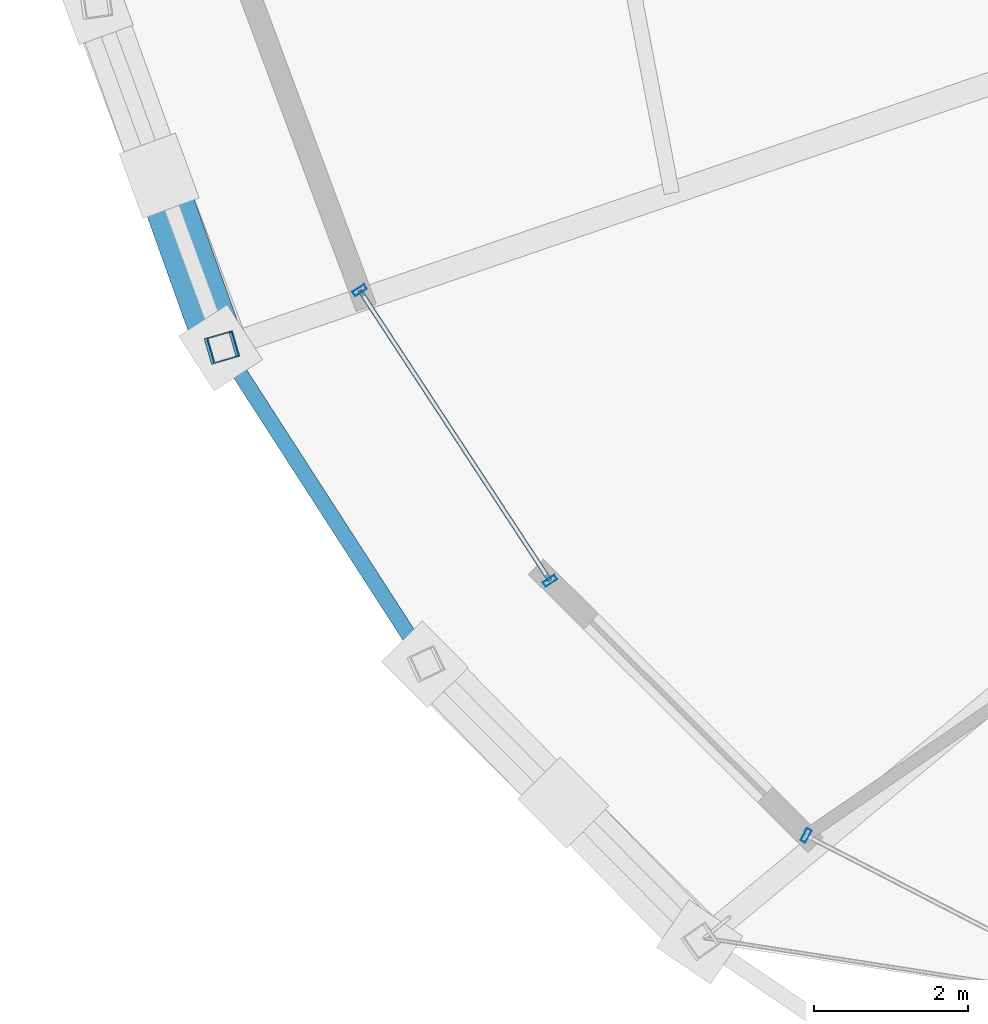
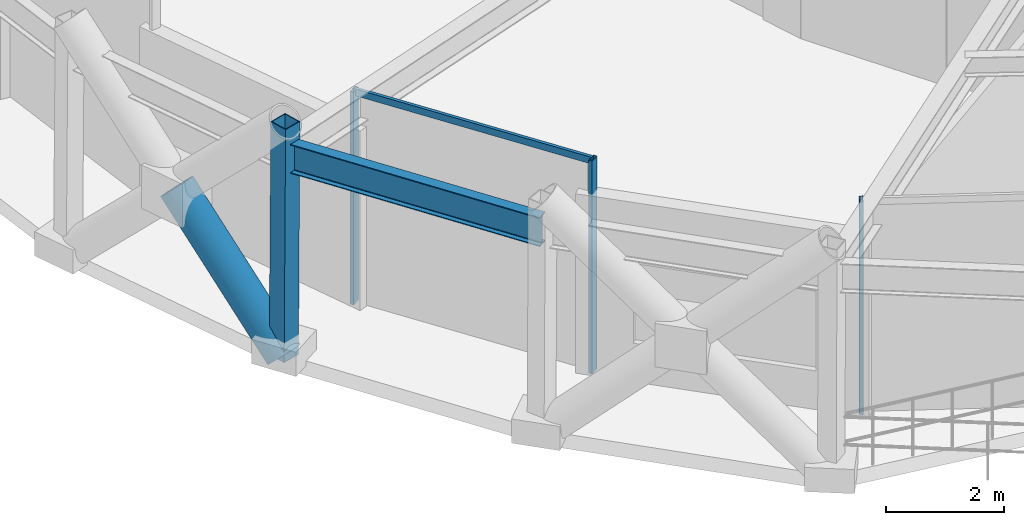
# One storey, part 2 of 39: 6 members, 1 beam, 2 elements without a shape of their own.
"""IFC4 building model written with IfcOpenShell, lengths in metres."""

import ifcopenshell
import ifcopenshell.guid

model = None  # the IFC model being written
_history = None  # IfcOwnerHistory: only IFC2X3 demands one
_inside = {}  # id of a spatial element -> (the spatial element, [elements in it])
_under = {}  # id of a project, library or spatial element -> (it, [spatial elements below it])
_declared = {}  # id of a project -> (the project, [libraries it declares])
_typed = {}  # id of a type object -> (the type object, [elements of that type])
_made_of = {}  # id of a material, layer set ... -> (it, [elements and type objects made of it])


def new_model(schema):
    """Start an empty IFC model of exactly this schema.

    Asked for "IFC4X3", IfcOpenShell would pick the latest addendum, in which some entities
    have other attributes; the version numbers below select the first issue.
    IFC2X3 requires an IfcOwnerHistory on every rooted entity: one is made here for all.
    """
    global model, _history
    if schema == "IFC4X3":
        model = ifcopenshell.file(schema_version=(4, 3, 0, 0))
    else:
        model = ifcopenshell.file(schema=schema)
    _inside.clear()
    _under.clear()
    _declared.clear()
    _typed.clear()
    _made_of.clear()
    _history = None
    if model.schema == "IFC2X3":
        org = make("IfcOrganization", Name="unknown")
        user = make(
            "IfcPersonAndOrganization",
            ThePerson=make("IfcPerson", FamilyName="unknown"),
            TheOrganization=org,
        )
        app = make(
            "IfcApplication",
            ApplicationDeveloper=org,
            Version="unknown",
            ApplicationFullName="unknown",
            ApplicationIdentifier="unknown",
        )
        _history = make(
            "IfcOwnerHistory",
            OwningUser=user,
            OwningApplication=app,
            ChangeAction="ADDED",
            CreationDate=0,
        )
    return model


def make(cls, **values):
    """One entity of the class cls with the attributes given. An attribute that is None is left unset."""
    return model.create_entity(
        cls, **{name: value for name, value in values.items() if value is not None}
    )


def rooted(cls, **values):
    """An entity with a GlobalId (a new one), such as an element, a storey or a relation."""
    return make(cls, GlobalId=ifcopenshell.guid.new(), OwnerHistory=_history, **values)


def si_unit(unit_type, name, prefix=None):
    """IfcSIUnit, for example si_unit("LENGTHUNIT", "METRE", prefix="MILLI")."""
    return make("IfcSIUnit", UnitType=unit_type, Prefix=prefix, Name=name)


def assignment(units):
    """IfcUnitAssignment: the units of a project."""
    return None if units is None else make("IfcUnitAssignment", Units=units)


def point(xyz):
    """IfcCartesianPoint."""
    return None if xyz is None else make("IfcCartesianPoint", Coordinates=xyz)


def direction(xyz):
    """IfcDirection."""
    return None if xyz is None else make("IfcDirection", DirectionRatios=xyz)


def frame(location, z_axis=None, x_axis=None):
    """IfcAxis2Placement3D, a coordinate frame: its origin and axes. An axis left out is left unset."""
    return make(
        "IfcAxis2Placement3D",
        Location=point(location),
        Axis=direction(z_axis),
        RefDirection=direction(x_axis),
    )


def frame_2d(location, x_axis=None):
    """IfcAxis2Placement2D, a coordinate frame in the plane: its origin and x axis."""
    return make(
        "IfcAxis2Placement2D", Location=point(location), RefDirection=direction(x_axis)
    )


def origin():
    """The frame at (0, 0, 0) with its axes left unset."""
    return frame((0.0, 0.0, 0.0))


def origin_2d():
    """The frame at (0, 0) in the plane with its x axis left unset."""
    return frame_2d((0.0, 0.0))


def place(relative_to, where):
    """IfcLocalPlacement: puts the frame where relative to a parent placement (None: the world)."""
    return make(
        "IfcLocalPlacement", PlacementRelTo=relative_to, RelativePlacement=where
    )


def context(
    kind, dimensions, precision=None, world=None, true_north=None, identifier=None
):
    """IfcGeometricRepresentationContext, for example the 3D "Model" context."""
    return make(
        "IfcGeometricRepresentationContext",
        ContextIdentifier=identifier,
        ContextType=kind,
        CoordinateSpaceDimension=dimensions,
        Precision=precision,
        WorldCoordinateSystem=world,
        TrueNorth=true_north,
    )


def subcontext(parent, identifier, kind, view, scale=None):
    """IfcGeometricRepresentationSubContext, for example "Body" below "Model"."""
    return make(
        "IfcGeometricRepresentationSubContext",
        ContextIdentifier=identifier,
        ContextType=kind,
        ParentContext=parent,
        TargetScale=scale,
        TargetView=view,
    )


def project(units=None, contexts=None):
    """IfcProject with its units and contexts."""
    return rooted(
        "IfcProject",
        Name="project",
        RepresentationContexts=contexts,
        UnitsInContext=assignment(units),
    )


def spatial(cls, under=None, at=None, **own):
    """A site, building, storey or space (cls), placed at a placement, below another one or the project."""
    s = rooted(cls, ObjectPlacement=at, **own)
    if under is not None:
        _under.setdefault(under.id(), (under, []))[1].append(s)
    return s


def profile(cls, at=None, kind="AREA", **sizes):
    """A parametric profile (cls). Its sizes go by their IFC names, for example OverallWidth=200.0."""
    return make(cls, ProfileType=kind, Position=at, **sizes)


def hollow_rectangle(**sizes):
    """IfcRectangleHollowProfileDef."""
    return profile("IfcRectangleHollowProfileDef", **sizes)


def hollow_circle(**sizes):
    """IfcCircleHollowProfileDef."""
    return profile("IfcCircleHollowProfileDef", **sizes)


def i_section(**sizes):
    """IfcIShapeProfileDef."""
    return profile("IfcIShapeProfileDef", **sizes)


def extrude(swept, where, along, depth):
    """IfcExtrudedAreaSolid: the profile swept, set in the frame where, extruded along a direction by depth."""
    return make(
        "IfcExtrudedAreaSolid",
        SweptArea=swept,
        Position=where,
        ExtrudedDirection=direction(along),
        Depth=depth,
    )


def shape(context_of_items, identifier, shape_type, items):
    """IfcShapeRepresentation: the items that make up one representation, for example the "Body"."""
    return make(
        "IfcShapeRepresentation",
        ContextOfItems=context_of_items,
        RepresentationIdentifier=identifier,
        RepresentationType=shape_type,
        Items=items,
    )


def material(Name=None, Category=None):
    """IfcMaterial."""
    return make("IfcMaterial", Name=Name, Category=Category)


def layer(
    of_material, thickness, ventilated=None, Name=None, Category=None, Priority=None
):
    """IfcMaterialLayer: one layer of a wall or slab, of a material (None: an air gap)."""
    return make(
        "IfcMaterialLayer",
        Material=of_material,
        LayerThickness=thickness,
        IsVentilated=ventilated,
        Name=Name,
        Category=Category,
        Priority=Priority,
    )


def layer_set(layers, Name=None):
    """IfcMaterialLayerSet."""
    return make("IfcMaterialLayerSet", MaterialLayers=layers, LayerSetName=Name)


def material_profile(
    of_material, cross_section, Name=None, Category=None, Priority=None
):
    """IfcMaterialProfile: a cross section and its material."""
    return make(
        "IfcMaterialProfile",
        Name=Name,
        Material=of_material,
        Profile=cross_section,
        Priority=Priority,
        Category=Category,
    )


def profile_set(profiles, Name=None, composite=None):
    """IfcMaterialProfileSet."""
    return make(
        "IfcMaterialProfileSet",
        Name=Name,
        MaterialProfiles=profiles,
        CompositeProfile=composite,
    )


def made_of(thing, what):
    """Note that an element or type object is made of a material, layer set ...; save() writes the relation."""
    if what is not None:
        _made_of.setdefault(what.id(), (what, []))[1].append(thing)
    return thing


def type_object(cls, material=None, **own):
    """A type object (cls), such as IfcWallType, which elements share."""
    return made_of(rooted(cls, **own), material)


def element(
    cls,
    number,
    at=None,
    inside=None,
    cuts=None,
    type_object=None,
    material=None,
    context=None,
    identifier="Body",
    shape_type=None,
    held_by="IfcProductDefinitionShape",
    body=None,
    shapes=None,
    **own,
):
    """One element of the class cls, such as IfcWall. Its Tag is "e" and its number.

    at: its placement. inside: the storey or other place that contains it. cuts: it is an
    opening in that element (IfcRelVoidsElement). A single representation is given by context,
    identifier, shape_type and body (its items); several are given by shapes. held_by: the class
    of the entity that holds the representations. save() writes the other relations.
    """
    e = rooted(cls, Tag="e%d" % number, ObjectPlacement=at, **own)
    if body is not None:
        shapes = [shape(context, identifier, shape_type, body)]
    if shapes is not None:
        e.Representation = make(held_by, Representations=shapes)
    if inside is not None:
        _inside.setdefault(inside.id(), (inside, []))[1].append(e)
    if cuts is not None:
        rooted(
            "IfcRelVoidsElement", RelatingBuildingElement=cuts, RelatedOpeningElement=e
        )
    if type_object is not None:
        _typed.setdefault(type_object.id(), (type_object, []))[1].append(e)
    return made_of(e, material)


def aggregate(whole, parts):
    """IfcRelAggregates: a whole, such as a stair, and the parts it consists of."""
    return rooted("IfcRelAggregates", RelatingObject=whole, RelatedObjects=parts)


def save(model, path):
    """Write the relations noted so far, then the file.

    IfcRelAggregates (storeys below a building ...), IfcRelContainedInSpatialStructure (elements
    in a storey), IfcRelDefinesByType, IfcRelAssociatesMaterial and IfcRelDeclares: one each for
    every whole, place, type object, material and project.
    """
    for whole, parts in _under.values():
        aggregate(whole, parts)
    for where, things in _inside.values():
        rooted(
            "IfcRelContainedInSpatialStructure",
            RelatedElements=things,
            RelatingStructure=where,
        )
    for kind, things in _typed.values():
        rooted("IfcRelDefinesByType", RelatedObjects=things, RelatingType=kind)
    for what, things in _made_of.values():
        rooted("IfcRelAssociatesMaterial", RelatedObjects=things, RelatingMaterial=what)
    for by, libraries in _declared.values():
        rooted("IfcRelDeclares", RelatingContext=by, RelatedDefinitions=libraries)
    model.write(path)


model = new_model("IFC4")

# Units and contexts
model_context = context("Model", 3, precision=1e-05, world=origin(), true_north=direction((0.0, 1.0)))
body_context = subcontext(model_context, "Body", "Model", "MODEL_VIEW")
ifc_project = project(units=[si_unit("LENGTHUNIT", "METRE"), si_unit("AREAUNIT", "SQUARE_METRE"), si_unit("VOLUMEUNIT", "CUBIC_METRE"), si_unit("PLANEANGLEUNIT", "RADIAN"), si_unit("MASSUNIT", "GRAM", prefix="KILO")], contexts=[model_context])

# Site, building, storey
site_placement = place(None, origin())
site = spatial("IfcSite", under=ifc_project, at=site_placement, CompositionType="ELEMENT")
building_placement = place(site_placement, origin())
building = spatial("IfcBuilding", under=site, at=building_placement, Name="Veldorina Hangang Commons", CompositionType="ELEMENT")
storey_placement = place(building_placement, frame((0.0, 0.0, 106.0)))
storey = spatial("IfcBuildingStorey", under=building, at=storey_placement, Name="L27", CompositionType="ELEMENT", Elevation=106.0)

# Beam
ifc_material_1 = material(Name="Steel SM420-TMC", Category="steel")
ifc_material_profile_1 = material_profile(ifc_material_1, i_section(OverallWidth=0.199951171875, OverallDepth=0.60009765625, WebThickness=0.010986328125, FlangeThickness=0.01708984375, FilletRadius=0.01806640625, at=origin_2d()), Name="H-600x200x11x17")
ifc_profile_set_1 = profile_set([ifc_material_profile_1], Name="Steel SM420-TMC")
beam_type = type_object("IfcBeamType", Name="BM-RB600", PredefinedType="BEAM", material=ifc_profile_set_1)
beam_placement = place(storey_placement, frame((5.43798828125, 14.882568359375, 4.139892578125), z_axis=(0.542050857771, -0.840345683388, 0.0), x_axis=(0.840345683388, 0.542050857771, 0.0)))
element("IfcBeam", 1, at=beam_placement, inside=storey, type_object=beam_type, Name="L27 perimeter hoop ring beam 18", PredefinedType="BEAM", context=body_context, shape_type="SweptSolid", body=[
    extrude(i_section(OverallWidth=0.199951171875, OverallDepth=0.60009765625, WebThickness=0.010986328125, FlangeThickness=0.01708984375, FilletRadius=0.01806640625, at=origin_2d()), origin(), (0.0, 0.0, 1.0), 4.901611328125),
])

# Curtain wall, members
ifc_material_2 = material(Name="Glass Acoustic Laminated", Category="glass")
ifc_layer = layer(ifc_material_2, 0.179931640625)
ifc_layer_set = layer_set([ifc_layer], Name="Glass Acoustic Laminated")
curtain_wall_type = type_object("IfcCurtainWallType", Name="CW-SYS-SKY", PredefinedType="NOTDEFINED", material=ifc_layer_set)
curtain_wall_1_placement = place(storey_placement, origin())
curtain_wall_1 = element("IfcCurtainWall", 2, at=curtain_wall_1_placement, inside=storey, type_object=curtain_wall_type, Name="L27 unitised curtain wall CW-L27-R10", PredefinedType="NOTDEFINED")
ifc_material_3 = material(Name="Aluminium Anodized AA6063-T6", Category="aluminium")
ifc_material_profile_2 = material_profile(ifc_material_3, hollow_rectangle(XDim=0.070068359375, YDim=0.179931640625, WallThickness=0.00390625, at=origin_2d()), Name="ALU-RHS-180x70x4")
ifc_profile_set_2 = profile_set([ifc_material_profile_2], Name="Aluminium Anodized AA6063-T6")
member_type_1 = type_object("IfcMemberType", Name="CW-MUL-180", PredefinedType="MULLION", material=ifc_profile_set_2)
member_1_placement = place(storey_placement, frame((7.218994140625, 15.623779296875, 0.0), z_axis=(0.0, 0.0, 1.0), x_axis=(0.547928278665, -0.836525314285, 0.0)))
member_1 = element("IfcMember", 3, at=member_1_placement, type_object=member_type_1, Name="CW-L27-R10 vertical mullion 1", PredefinedType="MULLION", context=body_context, shape_type="SweptSolid", body=[
    extrude(hollow_rectangle(XDim=0.070068359375, YDim=0.179931640625, WallThickness=0.00390625, at=origin_2d()), origin(), (0.0, 0.0, 1.0), 4.39990234375),
])
member_2_placement = place(storey_placement, frame((9.697509765625, 11.839599609375, 0.0), z_axis=(0.0, 0.0, 1.0), x_axis=(-0.547928278665, 0.836525314285, 0.0)))
member_2 = element("IfcMember", 4, at=member_2_placement, type_object=member_type_1, Name="CW-L27-R10 vertical mullion 2", PredefinedType="MULLION", context=body_context, shape_type="SweptSolid", body=[
    extrude(hollow_rectangle(XDim=0.070068359375, YDim=0.179931640625, WallThickness=0.00390625, at=origin_2d()), origin(), (0.0, 0.0, 1.0), 4.39990234375),
])

# Curtain wall, member
curtain_wall_2_placement = place(storey_placement, origin())
curtain_wall_2 = element("IfcCurtainWall", 5, at=curtain_wall_2_placement, inside=storey, type_object=curtain_wall_type, Name="L27 unitised curtain wall CW-L27-R11", PredefinedType="NOTDEFINED")
member_3_placement = place(storey_placement, frame((13.033203125, 8.522705078125, 0.0), z_axis=(0.0, 0.0, 1.0), x_axis=(0.888785276806, -0.458323828458, 0.0)))
member_3 = element("IfcMember", 6, at=member_3_placement, type_object=member_type_1, Name="CW-L27-R11 vertical mullion 1", PredefinedType="MULLION", context=body_context, shape_type="SweptSolid", body=[
    extrude(hollow_rectangle(XDim=0.070068359375, YDim=0.179931640625, WallThickness=0.00390625, at=origin_2d()), origin(), (0.0, 0.0, 1.0), 4.39990234375),
])
aggregate(curtain_wall_2, [member_3])

# Member
ifc_material_profile_3 = material_profile(ifc_material_3, hollow_rectangle(XDim=0.06005859375, YDim=0.139892578125, WallThickness=0.00341796875, at=origin_2d()), Name="ALU-RHS-140x60x3.5")
ifc_profile_set_3 = profile_set([ifc_material_profile_3], Name="Aluminium Anodized AA6063-T6")
member_type_2 = type_object("IfcMemberType", Name="CW-TRN-140", PredefinedType="USERDEFINED", material=ifc_profile_set_3)
member_4_placement = place(storey_placement, frame((7.218994140625, 15.623779296875, 4.360107421875), z_axis=(0.547906457387, -0.836539606925, 0.0), x_axis=(0.836539606925, 0.547906457387, 0.0)))
member_4 = element("IfcMember", 7, at=member_4_placement, type_object=member_type_2, Name="CW-L27-R10 facet 1 transom 1", ObjectType="TRANSOM", PredefinedType="USERDEFINED", context=body_context, shape_type="SweptSolid", body=[
    extrude(hollow_rectangle(XDim=0.06005859375, YDim=0.139892578125, WallThickness=0.00341796875, at=origin_2d()), origin(), (0.0, 0.0, 1.0), 4.523681640625),
])

aggregate(curtain_wall_1, [member_1, member_2, member_4])

# Members
ifc_material_4 = material(Name="Steel SM460-TMC", Category="steel")
ifc_material_profile_4 = material_profile(ifc_material_4, hollow_circle(Radius=0.324951171875, WallThickness=0.031982421875, at=origin_2d()), Name="CHS-650x32")
ifc_profile_set_4 = profile_set([ifc_material_profile_4], Name="Steel SM460-TMC")
member_type_3 = type_object("IfcMemberType", Name="DG-CHS650", PredefinedType="BRACE", material=ifc_profile_set_4)
member_5_placement = place(storey_placement, frame((5.408203125, 14.873779296875, 0.0), z_axis=(-0.237009766751, 0.66278965242, 0.710307149837), x_axis=(-0.941607210617, -0.336713321557, 0.0)))
element("IfcMember", 8, at=member_5_placement, inside=storey, type_object=member_type_3, Name="L27 split perimeter diagrid lower brace 18", PredefinedType="BRACE", context=body_context, shape_type="SweptSolid", body=[
    extrude(hollow_circle(Radius=0.324951171875, WallThickness=0.031982421875, at=origin_2d()), origin(), (0.0, 0.0, 1.0), 3.380859375),
])
ifc_material_5 = material(Name="Steel SM355-TMC", Category="steel")
ifc_material_profile_5 = material_profile(ifc_material_5, hollow_rectangle(XDim=0.35009765625, YDim=0.35009765625, WallThickness=0.01611328125, at=origin_2d()), Name="SHS-350x350x16")
ifc_profile_set_5 = profile_set([ifc_material_profile_5], Name="Steel SM355-TMC")
member_type_4 = type_object("IfcMemberType", Name="STR-SHS350", PredefinedType="STRUT", material=ifc_profile_set_5)
member_6_placement = place(storey_placement, frame((5.408203125, 14.873779296875, 0.0), z_axis=(0.007222215951, 0.002085287704, 0.999971745187), x_axis=(-0.277400878559, 0.960754262325, 0.0)))
element("IfcMember", 9, at=member_6_placement, inside=storey, type_object=member_type_4, Name="L27 perimeter ring node post 18", PredefinedType="STRUT", context=body_context, shape_type="SweptSolid", body=[
    extrude(hollow_rectangle(XDim=0.35009765625, YDim=0.35009765625, WallThickness=0.01611328125, at=origin_2d()), origin(), (0.0, 0.0, 1.0), 4.80029296875),
])

save(model, "model.ifc")
